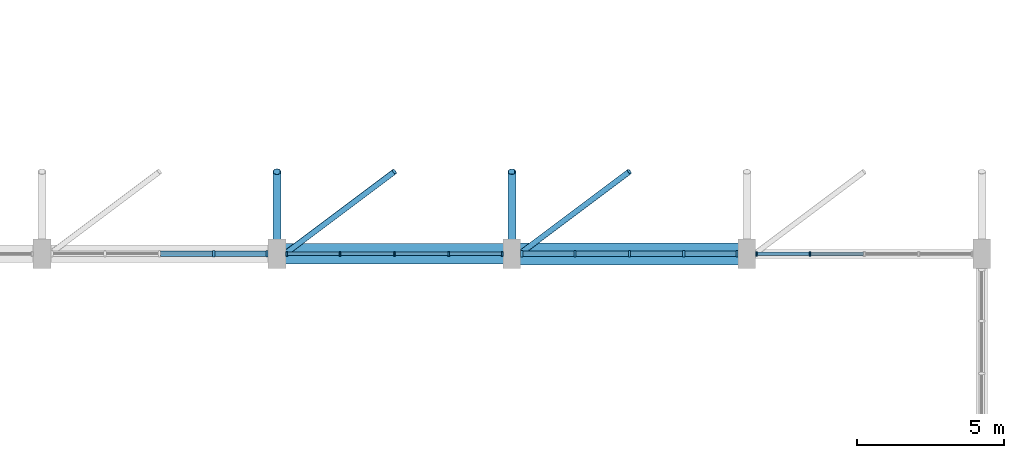
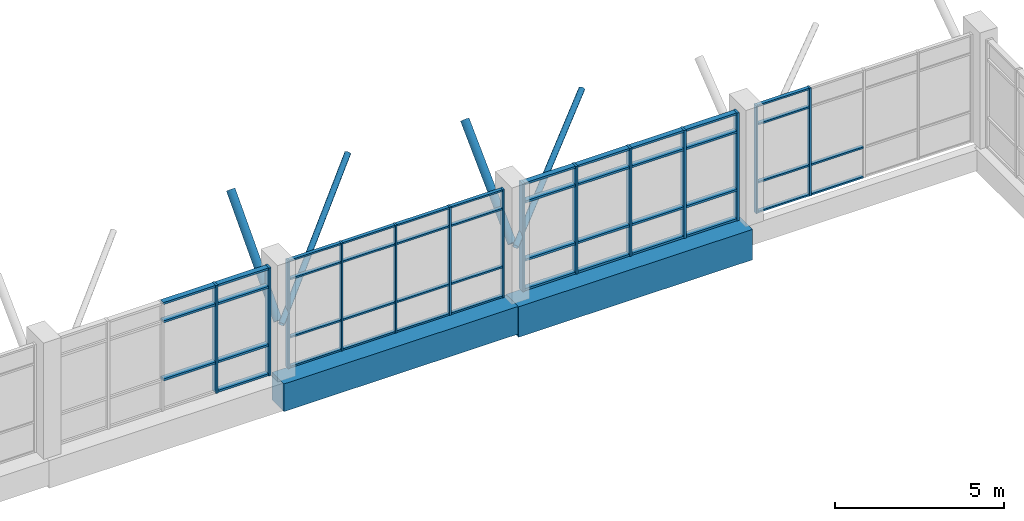
# One storey, part 8 of 44: 63 members, 2 beams, 4 elements without a shape of their own.
"""IFC4 building model written with IfcOpenShell, lengths in metres."""

from ifc_helpers import new_model, si_unit, direction, frame, origin, origin_2d, place, context, subcontext, project, spatial, rectangle, hollow_circle, extrude, material, material_profile, profile_set, type_object, element, aggregate, save


model = new_model("IFC4")

# Units and contexts
model_context = context("Model", 3, precision=1e-05, world=origin(), true_north=direction((0.0, 1.0)))
body_context = subcontext(model_context, "Body", "Model", "MODEL_VIEW")
ifc_project = project(units=[si_unit("LENGTHUNIT", "METRE"), si_unit("AREAUNIT", "SQUARE_METRE"), si_unit("VOLUMEUNIT", "CUBIC_METRE"), si_unit("PLANEANGLEUNIT", "RADIAN"), si_unit("MASSUNIT", "GRAM", prefix="KILO")], contexts=[model_context])

# Site, building, storey
site_placement = place(None, origin())
site = spatial("IfcSite", under=ifc_project, at=site_placement, CompositionType="ELEMENT")
building_placement = place(site_placement, origin())
building = spatial("IfcBuilding", under=site, at=building_placement, Name="Tenunan Teduh Sports Hall", CompositionType="ELEMENT")
storey_placement = place(building_placement, frame((0.0, 0.0, 19.199951171875)))
storey = spatial("IfcBuildingStorey", under=building, at=storey_placement, Name="L04", CompositionType="ELEMENT", Elevation=19.199951171875)

# Beams
ifc_material_1 = material(Name="Concrete C40/50", Category="concrete")
ifc_material_profile_1 = material_profile(ifc_material_1, rectangle(XDim=0.699951171875, YDim=1.0, at=origin_2d()), Name="RCB 700x1000")
ifc_profile_set_1 = profile_set([ifc_material_profile_1], Name="Concrete C40/50")
beam_type_1 = type_object("IfcBeamType", Name="BM-RC-700x1000", PredefinedType="SPANDREL", material=ifc_profile_set_1)
beam_1_placement = place(storey_placement, frame((30.0, 46.0, -0.77001953125), z_axis=(1.0, 0.0, 0.0), x_axis=(0.0, 1.0, 0.0)))
element("IfcBeam", 1, at=beam_1_placement, inside=storey, type_object=beam_type_1, Name="BM-B-19-L04-2019", PredefinedType="SPANDREL", context=body_context, shape_type="SweptSolid", body=[
    extrude(rectangle(XDim=0.699951171875, YDim=1.0, at=origin_2d()), origin(), (0.0, 0.0, 1.0), 8.0),
])
ifc_material_2 = material(Name="Concrete C40/50", Category="concrete")
ifc_material_profile_2 = material_profile(ifc_material_2, rectangle(XDim=0.75, YDim=1.10009765625, at=origin_2d()), Name="RCB 750x1100")
ifc_profile_set_2 = profile_set([ifc_material_profile_2], Name="Concrete C40/50")
beam_type_2 = type_object("IfcBeamType", Name="BM-RC-750x1100", PredefinedType="SPANDREL", material=ifc_profile_set_2)
beam_2_placement = place(storey_placement, frame((38.0, 46.0, -0.820068359375), z_axis=(1.0, 0.0, 0.0), x_axis=(0.0, 1.0, 0.0)))
element("IfcBeam", 2, at=beam_2_placement, inside=storey, type_object=beam_type_2, Name="BM-B-20-L04-2020", PredefinedType="SPANDREL", context=body_context, shape_type="SweptSolid", body=[
    extrude(rectangle(XDim=0.75, YDim=1.10009765625, at=origin_2d()), origin(), (0.0, 0.0, 1.0), 8.0),
])

# Curtain wall, members
ifc_material_3 = material(Name="Anodised aluminium", Category="aluminium")
curtain_wall_type = type_object("IfcCurtainWallType", Name="CW-UNIT-2", PredefinedType="NOTDEFINED", material=ifc_material_3)
curtain_wall_1_placement = place(storey_placement, origin())
curtain_wall_1 = element("IfcCurtainWall", 3, at=curtain_wall_1_placement, inside=storey, type_object=curtain_wall_type, Name="CW-CWM-150-L04-099", PredefinedType="NOTDEFINED")
ifc_material_4 = material(Name="Anodised aluminium", Category="aluminium")
ifc_material_profile_3 = material_profile(ifc_material_4, rectangle(XDim=0.06005859375, YDim=0.14990234375, at=origin_2d()), Name="CWM 60x150")
ifc_profile_set_3 = profile_set([ifc_material_profile_3], Name="Anodised aluminium")
member_type_1 = type_object("IfcMemberType", Name="CWM-150", PredefinedType="MULLION", material=ifc_profile_set_3)
member_1_placement = place(storey_placement, frame((30.330078125, 46.0, 0.0), z_axis=(0.0, 0.0, 1.0), x_axis=(1.0, 0.0, 0.0)))
member_1 = element("IfcMember", 4, at=member_1_placement, type_object=member_type_1, Name="CW-02 mullion 1", PredefinedType="MULLION", context=body_context, shape_type="SweptSolid", body=[
    extrude(rectangle(XDim=0.06005859375, YDim=0.14990234375, at=origin_2d()), origin(), (0.0, 0.0, 1.0), 3.900146484375),
])
member_2_placement = place(storey_placement, frame((32.14990234375, 46.0, 0.0), z_axis=(0.0, 0.0, 1.0), x_axis=(1.0, 0.0, 0.0)))
member_2 = element("IfcMember", 5, at=member_2_placement, type_object=member_type_1, Name="CW-02 mullion 2", PredefinedType="MULLION", context=body_context, shape_type="SweptSolid", body=[
    extrude(rectangle(XDim=0.06005859375, YDim=0.14990234375, at=origin_2d()), origin(), (0.0, 0.0, 1.0), 3.900146484375),
])
member_3_placement = place(storey_placement, frame((34.0, 46.0, 0.0), z_axis=(0.0, 0.0, 1.0), x_axis=(1.0, 0.0, 0.0)))
member_3 = element("IfcMember", 6, at=member_3_placement, type_object=member_type_1, Name="CW-02 mullion 3", PredefinedType="MULLION", context=body_context, shape_type="SweptSolid", body=[
    extrude(rectangle(XDim=0.06005859375, YDim=0.14990234375, at=origin_2d()), origin(), (0.0, 0.0, 1.0), 3.900146484375),
])
member_4_placement = place(storey_placement, frame((35.85009765625, 46.0, 0.0), z_axis=(0.0, 0.0, 1.0), x_axis=(1.0, 0.0, 0.0)))
member_4 = element("IfcMember", 7, at=member_4_placement, type_object=member_type_1, Name="CW-02 mullion 4", PredefinedType="MULLION", context=body_context, shape_type="SweptSolid", body=[
    extrude(rectangle(XDim=0.06005859375, YDim=0.14990234375, at=origin_2d()), origin(), (0.0, 0.0, 1.0), 3.900146484375),
])
member_5_placement = place(storey_placement, frame((37.669921875, 46.0, 0.0), z_axis=(0.0, 0.0, 1.0), x_axis=(1.0, 0.0, 0.0)))
member_5 = element("IfcMember", 8, at=member_5_placement, type_object=member_type_1, Name="CW-02 mullion 5", PredefinedType="MULLION", context=body_context, shape_type="SweptSolid", body=[
    extrude(rectangle(XDim=0.06005859375, YDim=0.14990234375, at=origin_2d()), origin(), (0.0, 0.0, 1.0), 3.900146484375),
])

curtain_wall_2_placement = place(storey_placement, origin())
curtain_wall_2 = element("IfcCurtainWall", 9, at=curtain_wall_2_placement, inside=storey, type_object=curtain_wall_type, Name="CW-CWM-150-L04-103", PredefinedType="NOTDEFINED")
member_6_placement = place(storey_placement, frame((46.330078125, 46.0, 0.0), z_axis=(0.0, 0.0, 1.0), x_axis=(1.0, 0.0, 0.0)))
member_6 = element("IfcMember", 10, at=member_6_placement, type_object=member_type_1, Name="CW-02 mullion 1", PredefinedType="MULLION", context=body_context, shape_type="SweptSolid", body=[
    extrude(rectangle(XDim=0.06005859375, YDim=0.14990234375, at=origin_2d()), origin(), (0.0, 0.0, 1.0), 3.900146484375),
])
member_7_placement = place(storey_placement, frame((48.14990234375, 46.0, 0.0), z_axis=(0.0, 0.0, 1.0), x_axis=(1.0, 0.0, 0.0)))
member_7 = element("IfcMember", 11, at=member_7_placement, type_object=member_type_1, Name="CW-02 mullion 2", PredefinedType="MULLION", context=body_context, shape_type="SweptSolid", body=[
    extrude(rectangle(XDim=0.06005859375, YDim=0.14990234375, at=origin_2d()), origin(), (0.0, 0.0, 1.0), 3.900146484375),
])

curtain_wall_3_placement = place(storey_placement, origin())
curtain_wall_3 = element("IfcCurtainWall", 12, at=curtain_wall_3_placement, inside=storey, type_object=curtain_wall_type, Name="CW-CWM-220-L04-097", PredefinedType="NOTDEFINED")
ifc_material_5 = material(Name="Anodised aluminium", Category="aluminium")
ifc_material_profile_4 = material_profile(ifc_material_5, rectangle(XDim=0.074951171875, YDim=0.219970703125, at=origin_2d()), Name="CWM 75x220")
ifc_profile_set_4 = profile_set([ifc_material_profile_4], Name="Anodised aluminium")
member_type_2 = type_object("IfcMemberType", Name="CWM-220", PredefinedType="MULLION", material=ifc_profile_set_4)
member_8_placement = place(storey_placement, frame((27.85009765625, 46.0, 0.0), z_axis=(0.0, 0.0, 1.0), x_axis=(1.0, 0.0, 0.0)))
member_8 = element("IfcMember", 13, at=member_8_placement, type_object=member_type_2, Name="CW-02 mullion 4", PredefinedType="MULLION", context=body_context, shape_type="SweptSolid", body=[
    extrude(rectangle(XDim=0.074951171875, YDim=0.219970703125, at=origin_2d()), origin(), (0.0, 0.0, 1.0), 3.900146484375),
])
member_9_placement = place(storey_placement, frame((29.66259765625, 46.0, 0.0), z_axis=(0.0, 0.0, 1.0), x_axis=(1.0, 0.0, 0.0)))
member_9 = element("IfcMember", 14, at=member_9_placement, type_object=member_type_2, Name="CW-02 mullion 5", PredefinedType="MULLION", context=body_context, shape_type="SweptSolid", body=[
    extrude(rectangle(XDim=0.074951171875, YDim=0.219970703125, at=origin_2d()), origin(), (0.0, 0.0, 1.0), 3.900146484375),
])

curtain_wall_4_placement = place(storey_placement, origin())
curtain_wall_4 = element("IfcCurtainWall", 15, at=curtain_wall_4_placement, inside=storey, type_object=curtain_wall_type, Name="CW-CWM-220-L04-101", PredefinedType="NOTDEFINED")
member_10_placement = place(storey_placement, frame((38.33740234375, 46.0, 0.0), z_axis=(0.0, 0.0, 1.0), x_axis=(1.0, 0.0, 0.0)))
member_10 = element("IfcMember", 16, at=member_10_placement, type_object=member_type_2, Name="CW-02 mullion 1", PredefinedType="MULLION", context=body_context, shape_type="SweptSolid", body=[
    extrude(rectangle(XDim=0.074951171875, YDim=0.219970703125, at=origin_2d()), origin(), (0.0, 0.0, 1.0), 3.900146484375),
])
member_11_placement = place(storey_placement, frame((40.14990234375, 46.0, 0.0), z_axis=(0.0, 0.0, 1.0), x_axis=(1.0, 0.0, 0.0)))
member_11 = element("IfcMember", 17, at=member_11_placement, type_object=member_type_2, Name="CW-02 mullion 2", PredefinedType="MULLION", context=body_context, shape_type="SweptSolid", body=[
    extrude(rectangle(XDim=0.074951171875, YDim=0.219970703125, at=origin_2d()), origin(), (0.0, 0.0, 1.0), 3.900146484375),
])
member_12_placement = place(storey_placement, frame((42.0, 46.0, 0.0), z_axis=(0.0, 0.0, 1.0), x_axis=(1.0, 0.0, 0.0)))
member_12 = element("IfcMember", 18, at=member_12_placement, type_object=member_type_2, Name="CW-02 mullion 3", PredefinedType="MULLION", context=body_context, shape_type="SweptSolid", body=[
    extrude(rectangle(XDim=0.074951171875, YDim=0.219970703125, at=origin_2d()), origin(), (0.0, 0.0, 1.0), 3.900146484375),
])
member_13_placement = place(storey_placement, frame((43.85009765625, 46.0, 0.0), z_axis=(0.0, 0.0, 1.0), x_axis=(1.0, 0.0, 0.0)))
member_13 = element("IfcMember", 19, at=member_13_placement, type_object=member_type_2, Name="CW-02 mullion 4", PredefinedType="MULLION", context=body_context, shape_type="SweptSolid", body=[
    extrude(rectangle(XDim=0.074951171875, YDim=0.219970703125, at=origin_2d()), origin(), (0.0, 0.0, 1.0), 3.900146484375),
])
member_14_placement = place(storey_placement, frame((45.66259765625, 46.0, 0.0), z_axis=(0.0, 0.0, 1.0), x_axis=(1.0, 0.0, 0.0)))
member_14 = element("IfcMember", 20, at=member_14_placement, type_object=member_type_2, Name="CW-02 mullion 5", PredefinedType="MULLION", context=body_context, shape_type="SweptSolid", body=[
    extrude(rectangle(XDim=0.074951171875, YDim=0.219970703125, at=origin_2d()), origin(), (0.0, 0.0, 1.0), 3.900146484375),
])

# Member
ifc_material_6 = material(Name="Anodised aluminium", Category="aluminium")
ifc_material_profile_5 = material_profile(ifc_material_6, rectangle(XDim=0.06005859375, YDim=0.1201171875, at=origin_2d()), Name="CWT 60x120")
ifc_profile_set_5 = profile_set([ifc_material_profile_5], Name="Anodised aluminium")
member_type_3 = type_object("IfcMemberType", Name="CWT-125", PredefinedType="USERDEFINED", material=ifc_profile_set_5)
member_15_placement = place(storey_placement, frame((30.360107421875, 46.0, 0.030029296875), z_axis=(1.0, 0.0, 0.0), x_axis=(0.0, 0.0, 1.0)))
member_15 = element("IfcMember", 21, at=member_15_placement, type_object=member_type_3, Name="CW-02 transom 1.1", ObjectType="TRANSOM", PredefinedType="USERDEFINED", context=body_context, shape_type="SweptSolid", body=[
    extrude(rectangle(XDim=0.06005859375, YDim=0.1201171875, at=origin_2d()), origin(), (0.0, 0.0, 1.0), 1.760009765625),
])

member_16_placement = place(storey_placement, frame((30.360107421875, 46.0, 1.10009765625), z_axis=(1.0, 0.0, 0.0), x_axis=(0.0, 0.0, 1.0)))
member_16 = element("IfcMember", 22, at=member_16_placement, type_object=member_type_3, Name="CW-02 transom 1.2", ObjectType="TRANSOM", PredefinedType="USERDEFINED", context=body_context, shape_type="SweptSolid", body=[
    extrude(rectangle(XDim=0.06005859375, YDim=0.1201171875, at=origin_2d()), origin(), (0.0, 0.0, 1.0), 1.760009765625),
])

member_17_placement = place(storey_placement, frame((30.360107421875, 46.0, 3.199951171875), z_axis=(1.0, 0.0, 0.0), x_axis=(0.0, 0.0, 1.0)))
member_17 = element("IfcMember", 23, at=member_17_placement, type_object=member_type_3, Name="CW-02 transom 1.3", ObjectType="TRANSOM", PredefinedType="USERDEFINED", context=body_context, shape_type="SweptSolid", body=[
    extrude(rectangle(XDim=0.06005859375, YDim=0.1201171875, at=origin_2d()), origin(), (0.0, 0.0, 1.0), 1.760009765625),
])

member_18_placement = place(storey_placement, frame((30.360107421875, 46.0, 3.8701171875), z_axis=(1.0, 0.0, 0.0), x_axis=(0.0, 0.0, 1.0)))
member_18 = element("IfcMember", 24, at=member_18_placement, type_object=member_type_3, Name="CW-02 transom 1.4", ObjectType="TRANSOM", PredefinedType="USERDEFINED", context=body_context, shape_type="SweptSolid", body=[
    extrude(rectangle(XDim=0.06005859375, YDim=0.1201171875, at=origin_2d()), origin(), (0.0, 0.0, 1.0), 1.760009765625),
])

member_19_placement = place(storey_placement, frame((32.179931640625, 46.0, 0.030029296875), z_axis=(1.0, 0.0, 0.0), x_axis=(0.0, 0.0, 1.0)))
member_19 = element("IfcMember", 25, at=member_19_placement, type_object=member_type_3, Name="CW-02 transom 2.1", ObjectType="TRANSOM", PredefinedType="USERDEFINED", context=body_context, shape_type="SweptSolid", body=[
    extrude(rectangle(XDim=0.06005859375, YDim=0.1201171875, at=origin_2d()), origin(), (0.0, 0.0, 1.0), 1.7900390625),
])

member_20_placement = place(storey_placement, frame((32.179931640625, 46.0, 1.10009765625), z_axis=(1.0, 0.0, 0.0), x_axis=(0.0, 0.0, 1.0)))
member_20 = element("IfcMember", 26, at=member_20_placement, type_object=member_type_3, Name="CW-02 transom 2.2", ObjectType="TRANSOM", PredefinedType="USERDEFINED", context=body_context, shape_type="SweptSolid", body=[
    extrude(rectangle(XDim=0.06005859375, YDim=0.1201171875, at=origin_2d()), origin(), (0.0, 0.0, 1.0), 1.7900390625),
])

member_21_placement = place(storey_placement, frame((32.179931640625, 46.0, 3.199951171875), z_axis=(1.0, 0.0, 0.0), x_axis=(0.0, 0.0, 1.0)))
member_21 = element("IfcMember", 27, at=member_21_placement, type_object=member_type_3, Name="CW-02 transom 2.3", ObjectType="TRANSOM", PredefinedType="USERDEFINED", context=body_context, shape_type="SweptSolid", body=[
    extrude(rectangle(XDim=0.06005859375, YDim=0.1201171875, at=origin_2d()), origin(), (0.0, 0.0, 1.0), 1.7900390625),
])

member_22_placement = place(storey_placement, frame((32.179931640625, 46.0, 3.8701171875), z_axis=(1.0, 0.0, 0.0), x_axis=(0.0, 0.0, 1.0)))
member_22 = element("IfcMember", 28, at=member_22_placement, type_object=member_type_3, Name="CW-02 transom 2.4", ObjectType="TRANSOM", PredefinedType="USERDEFINED", context=body_context, shape_type="SweptSolid", body=[
    extrude(rectangle(XDim=0.06005859375, YDim=0.1201171875, at=origin_2d()), origin(), (0.0, 0.0, 1.0), 1.7900390625),
])

member_23_placement = place(storey_placement, frame((34.030029296875, 46.0, 0.030029296875), z_axis=(1.0, 0.0, 0.0), x_axis=(0.0, 0.0, 1.0)))
member_23 = element("IfcMember", 29, at=member_23_placement, type_object=member_type_3, Name="CW-02 transom 3.1", ObjectType="TRANSOM", PredefinedType="USERDEFINED", context=body_context, shape_type="SweptSolid", body=[
    extrude(rectangle(XDim=0.06005859375, YDim=0.1201171875, at=origin_2d()), origin(), (0.0, 0.0, 1.0), 1.7900390625),
])

member_24_placement = place(storey_placement, frame((34.030029296875, 46.0, 1.10009765625), z_axis=(1.0, 0.0, 0.0), x_axis=(0.0, 0.0, 1.0)))
member_24 = element("IfcMember", 30, at=member_24_placement, type_object=member_type_3, Name="CW-02 transom 3.2", ObjectType="TRANSOM", PredefinedType="USERDEFINED", context=body_context, shape_type="SweptSolid", body=[
    extrude(rectangle(XDim=0.06005859375, YDim=0.1201171875, at=origin_2d()), origin(), (0.0, 0.0, 1.0), 1.7900390625),
])

member_25_placement = place(storey_placement, frame((34.030029296875, 46.0, 3.199951171875), z_axis=(1.0, 0.0, 0.0), x_axis=(0.0, 0.0, 1.0)))
member_25 = element("IfcMember", 31, at=member_25_placement, type_object=member_type_3, Name="CW-02 transom 3.3", ObjectType="TRANSOM", PredefinedType="USERDEFINED", context=body_context, shape_type="SweptSolid", body=[
    extrude(rectangle(XDim=0.06005859375, YDim=0.1201171875, at=origin_2d()), origin(), (0.0, 0.0, 1.0), 1.7900390625),
])

member_26_placement = place(storey_placement, frame((34.030029296875, 46.0, 3.8701171875), z_axis=(1.0, 0.0, 0.0), x_axis=(0.0, 0.0, 1.0)))
member_26 = element("IfcMember", 32, at=member_26_placement, type_object=member_type_3, Name="CW-02 transom 3.4", ObjectType="TRANSOM", PredefinedType="USERDEFINED", context=body_context, shape_type="SweptSolid", body=[
    extrude(rectangle(XDim=0.06005859375, YDim=0.1201171875, at=origin_2d()), origin(), (0.0, 0.0, 1.0), 1.7900390625),
])

member_27_placement = place(storey_placement, frame((35.8798828125, 46.0, 0.030029296875), z_axis=(1.0, 0.0, 0.0), x_axis=(0.0, 0.0, 1.0)))
member_27 = element("IfcMember", 33, at=member_27_placement, type_object=member_type_3, Name="CW-02 transom 4.1", ObjectType="TRANSOM", PredefinedType="USERDEFINED", context=body_context, shape_type="SweptSolid", body=[
    extrude(rectangle(XDim=0.06005859375, YDim=0.1201171875, at=origin_2d()), origin(), (0.0, 0.0, 1.0), 1.760009765625),
])

member_28_placement = place(storey_placement, frame((35.8798828125, 46.0, 1.10009765625), z_axis=(1.0, 0.0, 0.0), x_axis=(0.0, 0.0, 1.0)))
member_28 = element("IfcMember", 34, at=member_28_placement, type_object=member_type_3, Name="CW-02 transom 4.2", ObjectType="TRANSOM", PredefinedType="USERDEFINED", context=body_context, shape_type="SweptSolid", body=[
    extrude(rectangle(XDim=0.06005859375, YDim=0.1201171875, at=origin_2d()), origin(), (0.0, 0.0, 1.0), 1.760009765625),
])

member_29_placement = place(storey_placement, frame((35.8798828125, 46.0, 3.199951171875), z_axis=(1.0, 0.0, 0.0), x_axis=(0.0, 0.0, 1.0)))
member_29 = element("IfcMember", 35, at=member_29_placement, type_object=member_type_3, Name="CW-02 transom 4.3", ObjectType="TRANSOM", PredefinedType="USERDEFINED", context=body_context, shape_type="SweptSolid", body=[
    extrude(rectangle(XDim=0.06005859375, YDim=0.1201171875, at=origin_2d()), origin(), (0.0, 0.0, 1.0), 1.760009765625),
])

member_30_placement = place(storey_placement, frame((35.8798828125, 46.0, 3.8701171875), z_axis=(1.0, 0.0, 0.0), x_axis=(0.0, 0.0, 1.0)))
member_30 = element("IfcMember", 36, at=member_30_placement, type_object=member_type_3, Name="CW-02 transom 4.4", ObjectType="TRANSOM", PredefinedType="USERDEFINED", context=body_context, shape_type="SweptSolid", body=[
    extrude(rectangle(XDim=0.06005859375, YDim=0.1201171875, at=origin_2d()), origin(), (0.0, 0.0, 1.0), 1.760009765625),
])

aggregate(curtain_wall_1, [member_1, member_2, member_3, member_4, member_5, member_15, member_16, member_17, member_18, member_19, member_20, member_21, member_22, member_23, member_24, member_25, member_26, member_27, member_28, member_29, member_30])

member_31_placement = place(storey_placement, frame((46.360107421875, 46.0, 0.030029296875), z_axis=(1.0, 0.0, 0.0), x_axis=(0.0, 0.0, 1.0)))
member_31 = element("IfcMember", 37, at=member_31_placement, type_object=member_type_3, Name="CW-02 transom 1.1", ObjectType="TRANSOM", PredefinedType="USERDEFINED", context=body_context, shape_type="SweptSolid", body=[
    extrude(rectangle(XDim=0.06005859375, YDim=0.1201171875, at=origin_2d()), origin(), (0.0, 0.0, 1.0), 1.760009765625),
])

member_32_placement = place(storey_placement, frame((46.360107421875, 46.0, 1.10009765625), z_axis=(1.0, 0.0, 0.0), x_axis=(0.0, 0.0, 1.0)))
member_32 = element("IfcMember", 38, at=member_32_placement, type_object=member_type_3, Name="CW-02 transom 1.2", ObjectType="TRANSOM", PredefinedType="USERDEFINED", context=body_context, shape_type="SweptSolid", body=[
    extrude(rectangle(XDim=0.06005859375, YDim=0.1201171875, at=origin_2d()), origin(), (0.0, 0.0, 1.0), 1.760009765625),
])

member_33_placement = place(storey_placement, frame((46.360107421875, 46.0, 3.199951171875), z_axis=(1.0, 0.0, 0.0), x_axis=(0.0, 0.0, 1.0)))
member_33 = element("IfcMember", 39, at=member_33_placement, type_object=member_type_3, Name="CW-02 transom 1.3", ObjectType="TRANSOM", PredefinedType="USERDEFINED", context=body_context, shape_type="SweptSolid", body=[
    extrude(rectangle(XDim=0.06005859375, YDim=0.1201171875, at=origin_2d()), origin(), (0.0, 0.0, 1.0), 1.760009765625),
])

member_34_placement = place(storey_placement, frame((46.360107421875, 46.0, 3.8701171875), z_axis=(1.0, 0.0, 0.0), x_axis=(0.0, 0.0, 1.0)))
member_34 = element("IfcMember", 40, at=member_34_placement, type_object=member_type_3, Name="CW-02 transom 1.4", ObjectType="TRANSOM", PredefinedType="USERDEFINED", context=body_context, shape_type="SweptSolid", body=[
    extrude(rectangle(XDim=0.06005859375, YDim=0.1201171875, at=origin_2d()), origin(), (0.0, 0.0, 1.0), 1.760009765625),
])

member_35_placement = place(storey_placement, frame((48.179931640625, 46.0, 0.030029296875), z_axis=(1.0, 0.0, 0.0), x_axis=(0.0, 0.0, 1.0)))
member_35 = element("IfcMember", 41, at=member_35_placement, type_object=member_type_3, Name="CW-02 transom 2.1", ObjectType="TRANSOM", PredefinedType="USERDEFINED", context=body_context, shape_type="SweptSolid", body=[
    extrude(rectangle(XDim=0.06005859375, YDim=0.1201171875, at=origin_2d()), origin(), (0.0, 0.0, 1.0), 1.7900390625),
])

member_36_placement = place(storey_placement, frame((48.179931640625, 46.0, 1.10009765625), z_axis=(1.0, 0.0, 0.0), x_axis=(0.0, 0.0, 1.0)))
member_36 = element("IfcMember", 42, at=member_36_placement, type_object=member_type_3, Name="CW-02 transom 2.2", ObjectType="TRANSOM", PredefinedType="USERDEFINED", context=body_context, shape_type="SweptSolid", body=[
    extrude(rectangle(XDim=0.06005859375, YDim=0.1201171875, at=origin_2d()), origin(), (0.0, 0.0, 1.0), 1.7900390625),
])

aggregate(curtain_wall_2, [member_6, member_7, member_31, member_32, member_33, member_34, member_35, member_36])

ifc_material_7 = material(Name="Anodised aluminium", Category="aluminium")
ifc_material_profile_6 = material_profile(ifc_material_7, rectangle(XDim=0.074951171875, YDim=0.179931640625, at=origin_2d()), Name="CWT 75x180")
ifc_profile_set_6 = profile_set([ifc_material_profile_6], Name="Anodised aluminium")
member_type_4 = type_object("IfcMemberType", Name="CWT-180", PredefinedType="USERDEFINED", material=ifc_profile_set_6)
member_37_placement = place(storey_placement, frame((26.03759765625, 46.0, 1.10009765625), z_axis=(1.0, 0.0, 0.0), x_axis=(0.0, 0.0, 1.0)))
member_37 = element("IfcMember", 43, at=member_37_placement, type_object=member_type_4, Name="CW-02 transom 3.2", ObjectType="TRANSOM", PredefinedType="USERDEFINED", context=body_context, shape_type="SweptSolid", body=[
    extrude(rectangle(XDim=0.074951171875, YDim=0.179931640625, at=origin_2d()), origin(), (0.0, 0.0, 1.0), 1.77490234375),
])

member_38_placement = place(storey_placement, frame((26.03759765625, 46.0, 3.199951171875), z_axis=(1.0, 0.0, 0.0), x_axis=(0.0, 0.0, 1.0)))
member_38 = element("IfcMember", 44, at=member_38_placement, type_object=member_type_4, Name="CW-02 transom 3.3", ObjectType="TRANSOM", PredefinedType="USERDEFINED", context=body_context, shape_type="SweptSolid", body=[
    extrude(rectangle(XDim=0.074951171875, YDim=0.179931640625, at=origin_2d()), origin(), (0.0, 0.0, 1.0), 1.77490234375),
])

member_39_placement = place(storey_placement, frame((26.03759765625, 46.0, 3.862548828125), z_axis=(1.0, 0.0, 0.0), x_axis=(0.0, 0.0, 1.0)))
member_39 = element("IfcMember", 45, at=member_39_placement, type_object=member_type_4, Name="CW-02 transom 3.4", ObjectType="TRANSOM", PredefinedType="USERDEFINED", context=body_context, shape_type="SweptSolid", body=[
    extrude(rectangle(XDim=0.074951171875, YDim=0.179931640625, at=origin_2d()), origin(), (0.0, 0.0, 1.0), 1.77490234375),
])

member_40_placement = place(storey_placement, frame((27.887451171875, 46.0, 0.03759765625), z_axis=(1.0, 0.0, 0.0), x_axis=(0.0, 0.0, 1.0)))
member_40 = element("IfcMember", 46, at=member_40_placement, type_object=member_type_4, Name="CW-02 transom 4.1", ObjectType="TRANSOM", PredefinedType="USERDEFINED", context=body_context, shape_type="SweptSolid", body=[
    extrude(rectangle(XDim=0.074951171875, YDim=0.179931640625, at=origin_2d()), origin(), (0.0, 0.0, 1.0), 1.737548828125),
])

member_41_placement = place(storey_placement, frame((27.887451171875, 46.0, 1.10009765625), z_axis=(1.0, 0.0, 0.0), x_axis=(0.0, 0.0, 1.0)))
member_41 = element("IfcMember", 47, at=member_41_placement, type_object=member_type_4, Name="CW-02 transom 4.2", ObjectType="TRANSOM", PredefinedType="USERDEFINED", context=body_context, shape_type="SweptSolid", body=[
    extrude(rectangle(XDim=0.074951171875, YDim=0.179931640625, at=origin_2d()), origin(), (0.0, 0.0, 1.0), 1.737548828125),
])

member_42_placement = place(storey_placement, frame((27.887451171875, 46.0, 3.199951171875), z_axis=(1.0, 0.0, 0.0), x_axis=(0.0, 0.0, 1.0)))
member_42 = element("IfcMember", 48, at=member_42_placement, type_object=member_type_4, Name="CW-02 transom 4.3", ObjectType="TRANSOM", PredefinedType="USERDEFINED", context=body_context, shape_type="SweptSolid", body=[
    extrude(rectangle(XDim=0.074951171875, YDim=0.179931640625, at=origin_2d()), origin(), (0.0, 0.0, 1.0), 1.737548828125),
])

member_43_placement = place(storey_placement, frame((27.887451171875, 46.0, 3.862548828125), z_axis=(1.0, 0.0, 0.0), x_axis=(0.0, 0.0, 1.0)))
member_43 = element("IfcMember", 49, at=member_43_placement, type_object=member_type_4, Name="CW-02 transom 4.4", ObjectType="TRANSOM", PredefinedType="USERDEFINED", context=body_context, shape_type="SweptSolid", body=[
    extrude(rectangle(XDim=0.074951171875, YDim=0.179931640625, at=origin_2d()), origin(), (0.0, 0.0, 1.0), 1.737548828125),
])

aggregate(curtain_wall_3, [member_8, member_9, member_37, member_38, member_39, member_40, member_41, member_42, member_43])

member_44_placement = place(storey_placement, frame((38.375, 46.0, 0.03759765625), z_axis=(1.0, 0.0, 0.0), x_axis=(0.0, 0.0, 1.0)))
member_44 = element("IfcMember", 50, at=member_44_placement, type_object=member_type_4, Name="CW-02 transom 1.1", ObjectType="TRANSOM", PredefinedType="USERDEFINED", context=body_context, shape_type="SweptSolid", body=[
    extrude(rectangle(XDim=0.074951171875, YDim=0.179931640625, at=origin_2d()), origin(), (0.0, 0.0, 1.0), 1.737548828125),
])

member_45_placement = place(storey_placement, frame((38.375, 46.0, 1.10009765625), z_axis=(1.0, 0.0, 0.0), x_axis=(0.0, 0.0, 1.0)))
member_45 = element("IfcMember", 51, at=member_45_placement, type_object=member_type_4, Name="CW-02 transom 1.2", ObjectType="TRANSOM", PredefinedType="USERDEFINED", context=body_context, shape_type="SweptSolid", body=[
    extrude(rectangle(XDim=0.074951171875, YDim=0.179931640625, at=origin_2d()), origin(), (0.0, 0.0, 1.0), 1.737548828125),
])

member_46_placement = place(storey_placement, frame((38.375, 46.0, 3.199951171875), z_axis=(1.0, 0.0, 0.0), x_axis=(0.0, 0.0, 1.0)))
member_46 = element("IfcMember", 52, at=member_46_placement, type_object=member_type_4, Name="CW-02 transom 1.3", ObjectType="TRANSOM", PredefinedType="USERDEFINED", context=body_context, shape_type="SweptSolid", body=[
    extrude(rectangle(XDim=0.074951171875, YDim=0.179931640625, at=origin_2d()), origin(), (0.0, 0.0, 1.0), 1.737548828125),
])

member_47_placement = place(storey_placement, frame((38.375, 46.0, 3.862548828125), z_axis=(1.0, 0.0, 0.0), x_axis=(0.0, 0.0, 1.0)))
member_47 = element("IfcMember", 53, at=member_47_placement, type_object=member_type_4, Name="CW-02 transom 1.4", ObjectType="TRANSOM", PredefinedType="USERDEFINED", context=body_context, shape_type="SweptSolid", body=[
    extrude(rectangle(XDim=0.074951171875, YDim=0.179931640625, at=origin_2d()), origin(), (0.0, 0.0, 1.0), 1.737548828125),
])

member_48_placement = place(storey_placement, frame((40.1875, 46.0, 0.03759765625), z_axis=(1.0, 0.0, 0.0), x_axis=(0.0, 0.0, 1.0)))
member_48 = element("IfcMember", 54, at=member_48_placement, type_object=member_type_4, Name="CW-02 transom 2.1", ObjectType="TRANSOM", PredefinedType="USERDEFINED", context=body_context, shape_type="SweptSolid", body=[
    extrude(rectangle(XDim=0.074951171875, YDim=0.179931640625, at=origin_2d()), origin(), (0.0, 0.0, 1.0), 1.77490234375),
])

member_49_placement = place(storey_placement, frame((40.1875, 46.0, 1.10009765625), z_axis=(1.0, 0.0, 0.0), x_axis=(0.0, 0.0, 1.0)))
member_49 = element("IfcMember", 55, at=member_49_placement, type_object=member_type_4, Name="CW-02 transom 2.2", ObjectType="TRANSOM", PredefinedType="USERDEFINED", context=body_context, shape_type="SweptSolid", body=[
    extrude(rectangle(XDim=0.074951171875, YDim=0.179931640625, at=origin_2d()), origin(), (0.0, 0.0, 1.0), 1.77490234375),
])

member_50_placement = place(storey_placement, frame((40.1875, 46.0, 3.199951171875), z_axis=(1.0, 0.0, 0.0), x_axis=(0.0, 0.0, 1.0)))
member_50 = element("IfcMember", 56, at=member_50_placement, type_object=member_type_4, Name="CW-02 transom 2.3", ObjectType="TRANSOM", PredefinedType="USERDEFINED", context=body_context, shape_type="SweptSolid", body=[
    extrude(rectangle(XDim=0.074951171875, YDim=0.179931640625, at=origin_2d()), origin(), (0.0, 0.0, 1.0), 1.77490234375),
])

member_51_placement = place(storey_placement, frame((40.1875, 46.0, 3.862548828125), z_axis=(1.0, 0.0, 0.0), x_axis=(0.0, 0.0, 1.0)))
member_51 = element("IfcMember", 57, at=member_51_placement, type_object=member_type_4, Name="CW-02 transom 2.4", ObjectType="TRANSOM", PredefinedType="USERDEFINED", context=body_context, shape_type="SweptSolid", body=[
    extrude(rectangle(XDim=0.074951171875, YDim=0.179931640625, at=origin_2d()), origin(), (0.0, 0.0, 1.0), 1.77490234375),
])

member_52_placement = place(storey_placement, frame((42.03759765625, 46.0, 0.03759765625), z_axis=(1.0, 0.0, 0.0), x_axis=(0.0, 0.0, 1.0)))
member_52 = element("IfcMember", 58, at=member_52_placement, type_object=member_type_4, Name="CW-02 transom 3.1", ObjectType="TRANSOM", PredefinedType="USERDEFINED", context=body_context, shape_type="SweptSolid", body=[
    extrude(rectangle(XDim=0.074951171875, YDim=0.179931640625, at=origin_2d()), origin(), (0.0, 0.0, 1.0), 1.77490234375),
])

member_53_placement = place(storey_placement, frame((42.03759765625, 46.0, 1.10009765625), z_axis=(1.0, 0.0, 0.0), x_axis=(0.0, 0.0, 1.0)))
member_53 = element("IfcMember", 59, at=member_53_placement, type_object=member_type_4, Name="CW-02 transom 3.2", ObjectType="TRANSOM", PredefinedType="USERDEFINED", context=body_context, shape_type="SweptSolid", body=[
    extrude(rectangle(XDim=0.074951171875, YDim=0.179931640625, at=origin_2d()), origin(), (0.0, 0.0, 1.0), 1.77490234375),
])

member_54_placement = place(storey_placement, frame((42.03759765625, 46.0, 3.199951171875), z_axis=(1.0, 0.0, 0.0), x_axis=(0.0, 0.0, 1.0)))
member_54 = element("IfcMember", 60, at=member_54_placement, type_object=member_type_4, Name="CW-02 transom 3.3", ObjectType="TRANSOM", PredefinedType="USERDEFINED", context=body_context, shape_type="SweptSolid", body=[
    extrude(rectangle(XDim=0.074951171875, YDim=0.179931640625, at=origin_2d()), origin(), (0.0, 0.0, 1.0), 1.77490234375),
])

member_55_placement = place(storey_placement, frame((42.03759765625, 46.0, 3.862548828125), z_axis=(1.0, 0.0, 0.0), x_axis=(0.0, 0.0, 1.0)))
member_55 = element("IfcMember", 61, at=member_55_placement, type_object=member_type_4, Name="CW-02 transom 3.4", ObjectType="TRANSOM", PredefinedType="USERDEFINED", context=body_context, shape_type="SweptSolid", body=[
    extrude(rectangle(XDim=0.074951171875, YDim=0.179931640625, at=origin_2d()), origin(), (0.0, 0.0, 1.0), 1.77490234375),
])

member_56_placement = place(storey_placement, frame((43.887451171875, 46.0, 0.03759765625), z_axis=(1.0, 0.0, 0.0), x_axis=(0.0, 0.0, 1.0)))
member_56 = element("IfcMember", 62, at=member_56_placement, type_object=member_type_4, Name="CW-02 transom 4.1", ObjectType="TRANSOM", PredefinedType="USERDEFINED", context=body_context, shape_type="SweptSolid", body=[
    extrude(rectangle(XDim=0.074951171875, YDim=0.179931640625, at=origin_2d()), origin(), (0.0, 0.0, 1.0), 1.737548828125),
])

member_57_placement = place(storey_placement, frame((43.887451171875, 46.0, 1.10009765625), z_axis=(1.0, 0.0, 0.0), x_axis=(0.0, 0.0, 1.0)))
member_57 = element("IfcMember", 63, at=member_57_placement, type_object=member_type_4, Name="CW-02 transom 4.2", ObjectType="TRANSOM", PredefinedType="USERDEFINED", context=body_context, shape_type="SweptSolid", body=[
    extrude(rectangle(XDim=0.074951171875, YDim=0.179931640625, at=origin_2d()), origin(), (0.0, 0.0, 1.0), 1.737548828125),
])

member_58_placement = place(storey_placement, frame((43.887451171875, 46.0, 3.199951171875), z_axis=(1.0, 0.0, 0.0), x_axis=(0.0, 0.0, 1.0)))
member_58 = element("IfcMember", 64, at=member_58_placement, type_object=member_type_4, Name="CW-02 transom 4.3", ObjectType="TRANSOM", PredefinedType="USERDEFINED", context=body_context, shape_type="SweptSolid", body=[
    extrude(rectangle(XDim=0.074951171875, YDim=0.179931640625, at=origin_2d()), origin(), (0.0, 0.0, 1.0), 1.737548828125),
])

member_59_placement = place(storey_placement, frame((43.887451171875, 46.0, 3.862548828125), z_axis=(1.0, 0.0, 0.0), x_axis=(0.0, 0.0, 1.0)))
member_59 = element("IfcMember", 65, at=member_59_placement, type_object=member_type_4, Name="CW-02 transom 4.4", ObjectType="TRANSOM", PredefinedType="USERDEFINED", context=body_context, shape_type="SweptSolid", body=[
    extrude(rectangle(XDim=0.074951171875, YDim=0.179931640625, at=origin_2d()), origin(), (0.0, 0.0, 1.0), 1.737548828125),
])

aggregate(curtain_wall_4, [member_10, member_11, member_12, member_13, member_14, member_44, member_45, member_46, member_47, member_48, member_49, member_50, member_51, member_52, member_53, member_54, member_55, member_56, member_57, member_58, member_59])

# Members
ifc_material_8 = material(Name="Steel S355", Category="steel")
ifc_material_profile_7 = material_profile(ifc_material_8, hollow_circle(Radius=0.096923828125, WallThickness=0.008056640625, at=origin_2d()), Name="CHS 193.7x8.0")
ifc_profile_set_7 = profile_set([ifc_material_profile_7], Name="Steel S355")
member_type_5 = type_object("IfcMemberType", Name="MEM-BR-CHS194", PredefinedType="BRACE", material=ifc_profile_set_7)
member_60_placement = place(storey_placement, frame((30.0, 45.800048828125, 1.800048828125), z_axis=(0.687854304941, 0.515890728706, 0.510600833538), x_axis=(-0.6, 0.8, 0.0)))
element("IfcMember", 66, at=member_60_placement, inside=storey, type_object=member_type_5, Name="MEM-GD-03-L04-0467", PredefinedType="BRACE", context=body_context, shape_type="SweptSolid", body=[
    extrude(hollow_circle(Radius=0.096923828125, WallThickness=0.008056640625, at=origin_2d()), origin(), (0.0, 0.0, 1.0), 5.815185546875),
])
member_61_placement = place(storey_placement, frame((38.0, 45.800048828125, 1.800048828125), z_axis=(0.715960769164, 0.536970576873, 0.446164517405), x_axis=(-0.6, 0.8, 0.0)))
element("IfcMember", 67, at=member_61_placement, inside=storey, type_object=member_type_5, Name="MEM-GD-03-L04-0483", PredefinedType="BRACE", context=body_context, shape_type="SweptSolid", body=[
    extrude(hollow_circle(Radius=0.096923828125, WallThickness=0.008056640625, at=origin_2d()), origin(), (0.0, 0.0, 1.0), 5.5869140625),
])
ifc_material_9 = material(Name="Steel S355", Category="steel")
ifc_material_profile_8 = material_profile(ifc_material_9, hollow_circle(Radius=0.136474609375, WallThickness=0.010009765625, at=origin_2d()), Name="CHS 273.0x10.0")
ifc_profile_set_8 = profile_set([ifc_material_profile_8], Name="Steel S355")
member_type_6 = type_object("IfcMemberType", Name="MEM-ST-CHS273", PredefinedType="STRUT", material=ifc_profile_set_8)
member_62_placement = place(storey_placement, frame((30.0, 46.0, 1.800048828125), z_axis=(0.0, 0.677065483127, 0.73592277554), x_axis=(-1.0, 0.0, 0.0)))
element("IfcMember", 68, at=member_62_placement, inside=storey, type_object=member_type_6, Name="MEM-VS-04-L04-0459", PredefinedType="STRUT", context=body_context, shape_type="SweptSolid", body=[
    extrude(hollow_circle(Radius=0.136474609375, WallThickness=0.010009765625, at=origin_2d()), origin(), (0.0, 0.0, 1.0), 4.135498046875),
])
member_63_placement = place(storey_placement, frame((38.0, 46.0, 1.800048828125), z_axis=(0.0, 0.711404619059, 0.702782660558), x_axis=(-1.0, 0.0, 0.0)))
element("IfcMember", 69, at=member_63_placement, inside=storey, type_object=member_type_6, Name="MEM-VS-04-L04-0475", PredefinedType="STRUT", context=body_context, shape_type="SweptSolid", body=[
    extrude(hollow_circle(Radius=0.136474609375, WallThickness=0.010009765625, at=origin_2d()), origin(), (0.0, 0.0, 1.0), 3.93603515625),
])

save(model, "model.ifc")
